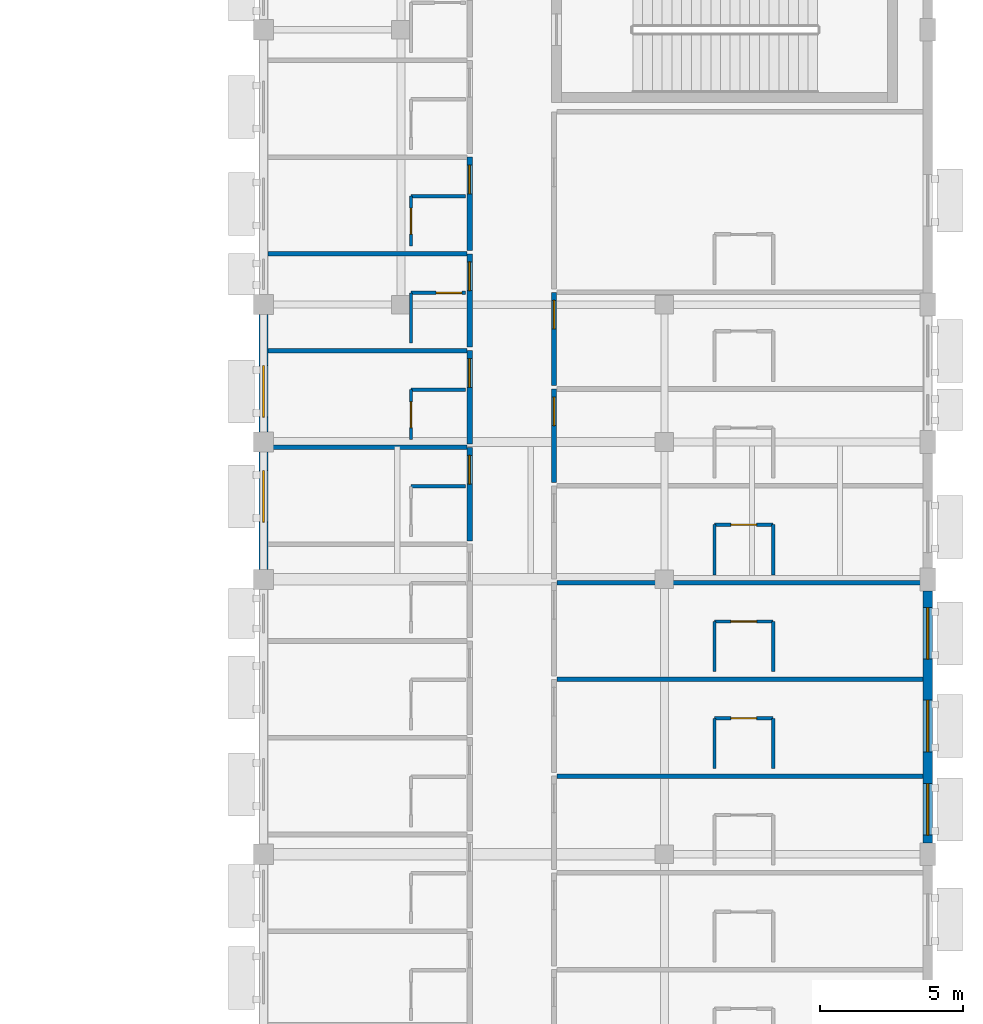
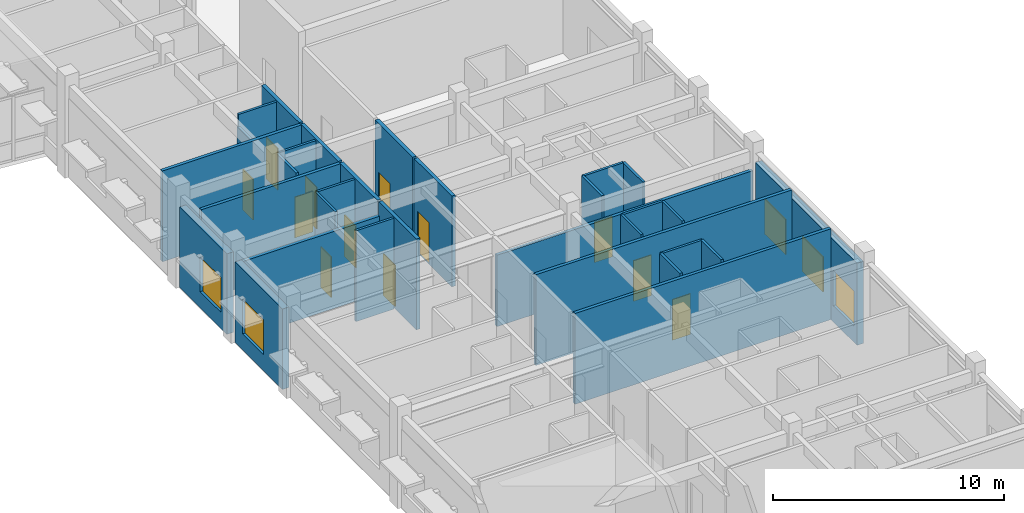
# One storey, part 49 of 68: 31 walls, 12 doors, 5 windows, 17 openings.
"""IFC4 building model written with IfcOpenShell, lengths in metres."""

from ifc_helpers import new_model, si_unit, direction, frame, frame_2d, origin, place, context, subcontext, project, spatial, rectangle, extrude, material, layer, layer_set, type_object, element, fill, save


model = new_model("IFC4")

# Units and contexts
model_context = context("Model", 3, precision=1e-05, world=origin(), true_north=direction((0.0, 1.0)))
body_context = subcontext(model_context, "Body", "Model", "MODEL_VIEW")
ifc_project = project(units=[si_unit("LENGTHUNIT", "METRE"), si_unit("AREAUNIT", "SQUARE_METRE"), si_unit("VOLUMEUNIT", "CUBIC_METRE"), si_unit("PLANEANGLEUNIT", "RADIAN"), si_unit("MASSUNIT", "GRAM", prefix="KILO")], contexts=[model_context])

# Site, building, storey
site_placement = place(None, origin())
site = spatial("IfcSite", under=ifc_project, at=site_placement, CompositionType="ELEMENT")
building_placement = place(site_placement, origin())
building = spatial("IfcBuilding", under=site, at=building_placement, Name="Veldera Park Congress Hotel", CompositionType="ELEMENT")
storey_placement = place(building_placement, frame((0.0, 0.0, 10.800048828125)))
storey = spatial("IfcBuildingStorey", under=building, at=storey_placement, Name="L02", CompositionType="ELEMENT", Elevation=10.800048828125)

# Wall, openings, windows
ifc_material_1 = material(Name="Cross-laminated timber CLT V2M1.1", Category="wood")
ifc_layer_1 = layer(ifc_material_1, 0.320068359375)
ifc_layer_set_1 = layer_set([ifc_layer_1], Name="Cross-laminated timber CLT V2M1.1")
wall_type_1 = type_object("IfcWallType", Name="EW-CLT320", PredefinedType="STANDARD", material=ifc_layer_set_1)
wall_1_placement = place(storey_placement, frame((84.0, -37.402099609375, 0.0), z_axis=(0.0, 0.0, 1.0), x_axis=(0.0, 1.0, 0.0)))
wall_1 = element("IfcWall", 1, at=wall_1_placement, inside=storey, type_object=wall_type_1, Name="L02 Exterior Wall EW3-L02-0176", PredefinedType="STANDARD", context=body_context, shape_type="SweptSolid", body=[
    extrude(rectangle(XDim=8.80419921875, YDim=0.320068359375, at=frame_2d((4.402099609375, 0.0))), origin(), (0.0, 0.0, 1.0), 4.33203125),
])
opening_1_placement = place(wall_1_placement, frame((0.26611328125, 0.0, 0.85009765625)))
opening_1 = element("IfcOpeningElement", 2, at=opening_1_placement, cuts=wall_1, Name="Opening WIN-1800", PredefinedType="OPENING", context=body_context, shape_type="SweptSolid", body=[
    extrude(rectangle(XDim=1.800048828125, YDim=1.85009765625, at=frame_2d((0.89990234375, 0.925048828125))), frame((0.0, 0.172119140625, 0.0), z_axis=(0.0, -1.0, 0.0), x_axis=(1.0, 0.0, 0.0)), (0.0, 0.0, 1.0), 0.343994140625),
])
opening_2_placement = place(wall_1_placement, frame((3.181884765625, 0.0, 0.85009765625)))
opening_2 = element("IfcOpeningElement", 3, at=opening_2_placement, cuts=wall_1, Name="Opening WIN-1800", PredefinedType="OPENING", context=body_context, shape_type="SweptSolid", body=[
    extrude(rectangle(XDim=1.800048828125, YDim=1.85009765625, at=frame_2d((0.89990234375, 0.925048828125))), frame((0.0, 0.172119140625, 0.0), z_axis=(0.0, -1.0, 0.0), x_axis=(1.0, 0.0, 0.0)), (0.0, 0.0, 1.0), 0.343994140625),
])
opening_3_placement = place(wall_1_placement, frame((6.41796875, 0.0, 0.85009765625)))
opening_3 = element("IfcOpeningElement", 4, at=opening_3_placement, cuts=wall_1, Name="Opening WIN-1800", PredefinedType="OPENING", context=body_context, shape_type="SweptSolid", body=[
    extrude(rectangle(XDim=1.800048828125, YDim=1.85009765625, at=frame_2d((0.89990234375, 0.925048828125))), frame((0.0, 0.172119140625, 0.0), z_axis=(0.0, -1.0, 0.0), x_axis=(1.0, 0.0, 0.0)), (0.0, 0.0, 1.0), 0.343994140625),
])
ifc_material_2 = material(Name="Low-E Triple Insulating Glass Unit (SHGC 0.22)", Category="glass")
window_type = type_object("IfcWindowType", Name="WIN-1800", PartitioningType="SINGLE_PANEL", PredefinedType="WINDOW", material=ifc_material_2)
window_1_placement = place(opening_1_placement, origin())
window_1 = element("IfcWindow", 5, at=window_1_placement, inside=storey, type_object=window_type, Name="L02 Window WIN-1800 380", OverallHeight=1.85009765625, OverallWidth=1.800048828125, PartitioningType="SINGLE_PANEL", PredefinedType="WINDOW", context=body_context, shape_type="SweptSolid", body=[
    extrude(rectangle(XDim=1.800048828125, YDim=1.85009765625, at=frame_2d((0.89990234375, 0.925048828125))), frame((0.0, 0.030029296875, 0.0), z_axis=(0.0, -1.0, 0.0), x_axis=(1.0, 0.0, 0.0)), (0.0, 0.0, 1.0), 0.06005859375),
])
fill(opening_1, window_1)
window_2_placement = place(opening_2_placement, origin())
window_2 = element("IfcWindow", 6, at=window_2_placement, inside=storey, type_object=window_type, Name="L02 Window WIN-1800 381", OverallHeight=1.85009765625, OverallWidth=1.800048828125, PartitioningType="SINGLE_PANEL", PredefinedType="WINDOW", context=body_context, shape_type="SweptSolid", body=[
    extrude(rectangle(XDim=1.800048828125, YDim=1.85009765625, at=frame_2d((0.89990234375, 0.925048828125))), frame((0.0, 0.030029296875, 0.0), z_axis=(0.0, -1.0, 0.0), x_axis=(1.0, 0.0, 0.0)), (0.0, 0.0, 1.0), 0.06005859375),
])
fill(opening_2, window_2)
window_3_placement = place(opening_3_placement, origin())
window_3 = element("IfcWindow", 7, at=window_3_placement, inside=storey, type_object=window_type, Name="L02 Window WIN-1800 382", OverallHeight=1.85009765625, OverallWidth=1.800048828125, PartitioningType="SINGLE_PANEL", PredefinedType="WINDOW", context=body_context, shape_type="SweptSolid", body=[
    extrude(rectangle(XDim=1.800048828125, YDim=1.85009765625, at=frame_2d((0.89990234375, 0.925048828125))), frame((0.0, 0.030029296875, 0.0), z_axis=(0.0, -1.0, 0.0), x_axis=(1.0, 0.0, 0.0)), (0.0, 0.0, 1.0), 0.06005859375),
])
fill(opening_3, window_3)

# Wall, opening, window
wall_2_placement = place(storey_placement, frame((60.800048828125, -18.947998046875, 0.0), z_axis=(0.0, 0.0, 1.0), x_axis=(0.0, -1.0, 0.0)))
wall_2 = element("IfcWall", 8, at=wall_2_placement, inside=storey, type_object=wall_type_1, Name="L02 Exterior Wall EW3-L02-0203", PredefinedType="STANDARD", context=body_context, shape_type="SweptSolid", body=[
    extrude(rectangle(XDim=4.10400390625, YDim=0.320068359375, at=frame_2d((2.052001953125, 0.0))), origin(), (0.0, 0.0, 1.0), 4.2548828125),
])
opening_4_placement = place(wall_2_placement, frame((1.782958984375, 0.0, 0.85009765625)))
opening_4 = element("IfcOpeningElement", 9, at=opening_4_placement, cuts=wall_2, Name="Opening WIN-1800", PredefinedType="OPENING", context=body_context, shape_type="SweptSolid", body=[
    extrude(rectangle(XDim=1.800048828125, YDim=1.85009765625, at=frame_2d((0.89990234375, 0.925048828125))), frame((0.0, 0.172119140625, 0.0), z_axis=(0.0, -1.0, 0.0), x_axis=(1.0, 0.0, 0.0)), (0.0, 0.0, 1.0), 0.343994140625),
])
window_4_placement = place(opening_4_placement, origin())
window_4 = element("IfcWindow", 10, at=window_4_placement, inside=storey, type_object=window_type, Name="L02 Window WIN-1800 363", OverallHeight=1.85009765625, OverallWidth=1.800048828125, PartitioningType="SINGLE_PANEL", PredefinedType="WINDOW", context=body_context, shape_type="SweptSolid", body=[
    extrude(rectangle(XDim=1.800048828125, YDim=1.85009765625, at=frame_2d((0.89990234375, 0.925048828125))), frame((0.0, 0.030029296875, 0.0), z_axis=(0.0, -1.0, 0.0), x_axis=(1.0, 0.0, 0.0)), (0.0, 0.0, 1.0), 0.06005859375),
])
fill(opening_4, window_4)

wall_3_placement = place(storey_placement, frame((60.800048828125, -23.748046875, 0.0), z_axis=(0.0, 0.0, 1.0), x_axis=(0.0, -1.0, 0.0)))
wall_3 = element("IfcWall", 11, at=wall_3_placement, inside=storey, type_object=wall_type_1, Name="L02 Exterior Wall EW3-L02-0204", PredefinedType="STANDARD", context=body_context, shape_type="SweptSolid", body=[
    extrude(rectangle(XDim=4.10400390625, YDim=0.320068359375, at=frame_2d((2.052001953125, 0.0))), origin(), (0.0, 0.0, 1.0), 4.2548828125),
])
opening_5_placement = place(wall_3_placement, frame((0.65087890625, 0.0, 0.85009765625)))
opening_5 = element("IfcOpeningElement", 12, at=opening_5_placement, cuts=wall_3, Name="Opening WIN-1800", PredefinedType="OPENING", context=body_context, shape_type="SweptSolid", body=[
    extrude(rectangle(XDim=1.800048828125, YDim=1.85009765625, at=frame_2d((0.89990234375, 0.925048828125))), frame((0.0, 0.172119140625, 0.0), z_axis=(0.0, -1.0, 0.0), x_axis=(1.0, 0.0, 0.0)), (0.0, 0.0, 1.0), 0.343994140625),
])
window_5_placement = place(opening_5_placement, origin())
window_5 = element("IfcWindow", 13, at=window_5_placement, inside=storey, type_object=window_type, Name="L02 Window WIN-1800 362", OverallHeight=1.85009765625, OverallWidth=1.800048828125, PartitioningType="SINGLE_PANEL", PredefinedType="WINDOW", context=body_context, shape_type="SweptSolid", body=[
    extrude(rectangle(XDim=1.800048828125, YDim=1.85009765625, at=frame_2d((0.89990234375, 0.925048828125))), frame((0.0, 0.030029296875, 0.0), z_axis=(0.0, -1.0, 0.0), x_axis=(1.0, 0.0, 0.0)), (0.0, 0.0, 1.0), 0.06005859375),
])
fill(opening_5, window_5)

# Wall
ifc_material_3 = material(Name="Fire-Rated Gypsum Board on Cold-Formed Steel Studs", Category="steel")
ifc_layer_2 = layer(ifc_material_3, 0.1201171875)
ifc_layer_set_2 = layer_set([ifc_layer_2], Name="Fire-Rated Gypsum Board on Cold-Formed Steel Studs")
wall_type_2 = type_object("IfcWallType", Name="IW-BATH120", PredefinedType="PARTITIONING", material=ifc_layer_set_2)
wall_4_placement = place(storey_placement, frame((65.949951171875, -24.949951171875, 0.0), z_axis=(0.0, 0.0, 1.0), x_axis=(1.0, 0.0, 0.0)))
element("IfcWall", 14, at=wall_4_placement, inside=storey, type_object=wall_type_2, Name="L02 Partition Wall IW3-L02-00387", PredefinedType="PARTITIONING", context=body_context, shape_type="SweptSolid", body=[
    extrude(rectangle(XDim=1.900146484375, YDim=0.1201171875, at=frame_2d((0.9501953125, 0.0))), origin(), (0.0, 0.0, 1.0), 4.800048828125),
])

# Wall, opening, door
wall_5_placement = place(storey_placement, frame((65.949951171875, -23.320068359375, 0.0), z_axis=(0.0, 0.0, 1.0), x_axis=(0.0, 1.0, 0.0)))
wall_5 = element("IfcWall", 15, at=wall_5_placement, inside=storey, type_object=wall_type_2, Name="L02 Partition Wall IW3-L02-00390", PredefinedType="PARTITIONING", context=body_context, shape_type="SweptSolid", body=[
    extrude(rectangle(XDim=1.75, YDim=0.1201171875, at=frame_2d((0.875, 0.0))), origin(), (0.0, 0.0, 1.0), 4.800048828125),
])
opening_6_placement = place(wall_5_placement, frame((0.425048828125, 0.0, 0.0)))
opening_6 = element("IfcOpeningElement", 16, at=opening_6_placement, cuts=wall_5, Name="Opening ID-BATH090", PredefinedType="OPENING", context=body_context, shape_type="SweptSolid", body=[
    extrude(rectangle(XDim=0.89990234375, YDim=2.14990234375, at=frame_2d((0.449951171875, 1.074951171875))), frame((0.0, 0.072021484375, 0.0), z_axis=(0.0, -1.0, 0.0), x_axis=(1.0, 0.0, 0.0)), (0.0, 0.0, 1.0), 0.14404296875),
])
ifc_material_4 = material(Name="Solid Core White Oak Architectural Door", Category="wood")
door_type_1 = type_object("IfcDoorType", Name="ID-BATH090", OperationType="NOTDEFINED", PredefinedType="DOOR", material=ifc_material_4)
door_1_placement = place(opening_6_placement, origin())
door_1 = element("IfcDoor", 17, at=door_1_placement, inside=storey, type_object=door_type_1, Name="L02 En-suite 007 Door ID3-L02-0153 (DR3-ID3-L02-0153)", OperationType="SINGLE_SWING_LEFT", OverallHeight=2.14990234375, OverallWidth=0.89990234375, PredefinedType="DOOR", context=body_context, shape_type="SweptSolid", body=[
    extrude(rectangle(XDim=0.89990234375, YDim=2.14990234375, at=frame_2d((0.449951171875, 1.074951171875))), frame((0.0, 0.02490234375, 0.0), z_axis=(0.0, -1.0, 0.0), x_axis=(1.0, 0.0, 0.0)), (0.0, 0.0, 1.0), 0.050048828125),
])
fill(opening_6, door_1)

# Walls
wall_6_placement = place(storey_placement, frame((65.949951171875, -21.570068359375, 0.0), z_axis=(0.0, 0.0, 1.0), x_axis=(1.0, 0.0, 0.0)))
element("IfcWall", 18, at=wall_6_placement, inside=storey, type_object=wall_type_2, Name="L02 Partition Wall IW3-L02-00391", PredefinedType="PARTITIONING", context=body_context, shape_type="SweptSolid", body=[
    extrude(rectangle(XDim=1.900146484375, YDim=0.1201171875, at=frame_2d((0.9501953125, 0.0))), origin(), (0.0, 0.0, 1.0), 4.800048828125),
])
wall_7_placement = place(storey_placement, frame((65.949951171875, -19.93994140625, 0.0), z_axis=(0.0, 0.0, 1.0), x_axis=(0.0, 1.0, 0.0)))
element("IfcWall", 19, at=wall_7_placement, inside=storey, type_object=wall_type_2, Name="L02 Partition Wall IW3-L02-00394", PredefinedType="PARTITIONING", context=body_context, shape_type="SweptSolid", body=[
    extrude(rectangle(XDim=1.75, YDim=0.1201171875, at=frame_2d((0.875, 0.0))), origin(), (0.0, 0.0, 1.0), 4.800048828125),
])

# Wall, opening, door
wall_8_placement = place(storey_placement, frame((65.949951171875, -18.18994140625, 0.0), z_axis=(0.0, 0.0, 1.0), x_axis=(1.0, 0.0, 0.0)))
wall_8 = element("IfcWall", 20, at=wall_8_placement, inside=storey, type_object=wall_type_2, Name="L02 Partition Wall IW3-L02-00395", PredefinedType="PARTITIONING", context=body_context, shape_type="SweptSolid", body=[
    extrude(rectangle(XDim=1.900146484375, YDim=0.1201171875, at=frame_2d((0.9501953125, 0.0))), origin(), (0.0, 0.0, 1.0), 4.800048828125),
])
opening_7_placement = place(wall_8_placement, frame((0.8798828125, 0.0, 0.0)))
opening_7 = element("IfcOpeningElement", 21, at=opening_7_placement, cuts=wall_8, Name="Opening ID-BATH090", PredefinedType="OPENING", context=body_context, shape_type="SweptSolid", body=[
    extrude(rectangle(XDim=0.89990234375, YDim=2.14990234375, at=frame_2d((0.449951171875, 1.074951171875))), frame((0.0, 0.072021484375, 0.0), z_axis=(0.0, -1.0, 0.0), x_axis=(1.0, 0.0, 0.0)), (0.0, 0.0, 1.0), 0.14404296875),
])
door_2_placement = place(opening_7_placement, origin())
door_2 = element("IfcDoor", 22, at=door_2_placement, inside=storey, type_object=door_type_1, Name="L02 En-suite 008 Door ID3-L02-0155 (DR3-ID3-L02-0155)", OperationType="SINGLE_SWING_LEFT", OverallHeight=2.14990234375, OverallWidth=0.89990234375, PredefinedType="DOOR", context=body_context, shape_type="SweptSolid", body=[
    extrude(rectangle(XDim=0.89990234375, YDim=2.14990234375, at=frame_2d((0.449951171875, 1.074951171875))), frame((0.0, 0.02490234375, 0.0), z_axis=(0.0, -1.0, 0.0), x_axis=(1.0, 0.0, 0.0)), (0.0, 0.0, 1.0), 0.050048828125),
])
fill(opening_7, door_2)

wall_9_placement = place(storey_placement, frame((65.949951171875, -16.56005859375, 0.0), z_axis=(0.0, 0.0, 1.0), x_axis=(0.0, 1.0, 0.0)))
wall_9 = element("IfcWall", 23, at=wall_9_placement, inside=storey, type_object=wall_type_2, Name="L02 Partition Wall IW3-L02-00398", PredefinedType="PARTITIONING", context=body_context, shape_type="SweptSolid", body=[
    extrude(rectangle(XDim=1.75, YDim=0.1201171875, at=frame_2d((0.875, 0.0))), origin(), (0.0, 0.0, 1.0), 4.155029296875),
])
opening_8_placement = place(wall_9_placement, frame((0.425048828125, 0.0, 0.0)))
opening_8 = element("IfcOpeningElement", 24, at=opening_8_placement, cuts=wall_9, Name="Opening ID-BATH090", PredefinedType="OPENING", context=body_context, shape_type="SweptSolid", body=[
    extrude(rectangle(XDim=0.89990234375, YDim=2.14990234375, at=frame_2d((0.449951171875, 1.074951171875))), frame((0.0, 0.072021484375, 0.0), z_axis=(0.0, -1.0, 0.0), x_axis=(1.0, 0.0, 0.0)), (0.0, 0.0, 1.0), 0.14404296875),
])
door_3_placement = place(opening_8_placement, origin())
door_3 = element("IfcDoor", 25, at=door_3_placement, inside=storey, type_object=door_type_1, Name="L02 En-suite 009 Door ID3-L02-0157 (DR3-ID3-L02-0157)", OperationType="SINGLE_SWING_LEFT", OverallHeight=2.14990234375, OverallWidth=0.89990234375, PredefinedType="DOOR", context=body_context, shape_type="SweptSolid", body=[
    extrude(rectangle(XDim=0.89990234375, YDim=2.14990234375, at=frame_2d((0.449951171875, 1.074951171875))), frame((0.0, 0.02490234375, 0.0), z_axis=(0.0, -1.0, 0.0), x_axis=(1.0, 0.0, 0.0)), (0.0, 0.0, 1.0), 0.050048828125),
])
fill(opening_8, door_3)

# Walls
wall_10_placement = place(storey_placement, frame((65.949951171875, -14.81005859375, 0.0), z_axis=(0.0, 0.0, 1.0), x_axis=(1.0, 0.0, 0.0)))
element("IfcWall", 26, at=wall_10_placement, inside=storey, type_object=wall_type_2, Name="L02 Partition Wall IW3-L02-00399", PredefinedType="PARTITIONING", context=body_context, shape_type="SweptSolid", body=[
    extrude(rectangle(XDim=1.900146484375, YDim=0.1201171875, at=frame_2d((0.9501953125, 0.0))), origin(), (0.0, 0.0, 1.0), 4.800048828125),
])
for number, where, z_axis, x_axis, name in (
    (27, (76.550048828125, -34.800048828125, 0.0), (0.0, 0.0, 1.0), (0.0, 1.0, 0.0), "L02 Partition Wall IW3-L02-00476"),
    (28, (78.60009765625, -34.800048828125, 0.0), (0.0, 0.0, 1.0), (0.0, 1.0, 0.0), "L02 Partition Wall IW3-L02-00477"),
):
    element("IfcWall", number, at=place(storey_placement, frame(where, z_axis=z_axis, x_axis=x_axis)), inside=storey, type_object=wall_type_2, Name=name, PredefinedType="PARTITIONING", context=body_context, shape_type="SweptSolid", body=[
        extrude(rectangle(XDim=1.75, YDim=0.1201171875, at=frame_2d((0.875, 0.0))), origin(), (0.0, 0.0, 1.0), 4.800048828125),
    ])

# Wall, opening, door
wall_11_placement = place(storey_placement, frame((76.550048828125, -33.050048828125, 0.0), z_axis=(0.0, 0.0, 1.0), x_axis=(1.0, 0.0, 0.0)))
wall_11 = element("IfcWall", 29, at=wall_11_placement, inside=storey, type_object=wall_type_2, Name="L02 Partition Wall IW3-L02-00478", PredefinedType="PARTITIONING", context=body_context, shape_type="SweptSolid", body=[
    extrude(rectangle(XDim=2.050048828125, YDim=0.1201171875, at=frame_2d((1.02490234375, 0.0))), origin(), (0.0, 0.0, 1.0), 4.800048828125),
])
opening_9_placement = place(wall_11_placement, frame((0.574951171875, 0.0, 0.0)))
opening_9 = element("IfcOpeningElement", 30, at=opening_9_placement, cuts=wall_11, Name="Opening ID-BATH090", PredefinedType="OPENING", context=body_context, shape_type="SweptSolid", body=[
    extrude(rectangle(XDim=0.89990234375, YDim=2.14990234375, at=frame_2d((0.449951171875, 1.074951171875))), frame((0.0, 0.072021484375, 0.0), z_axis=(0.0, -1.0, 0.0), x_axis=(1.0, 0.0, 0.0)), (0.0, 0.0, 1.0), 0.14404296875),
])
door_4_placement = place(opening_9_placement, origin())
door_4 = element("IfcDoor", 31, at=door_4_placement, inside=storey, type_object=door_type_1, Name="L02 En-suite 027 Door ID3-L02-0193 (DR3-ID3-L02-0193)", OperationType="SINGLE_SWING_LEFT", OverallHeight=2.14990234375, OverallWidth=0.89990234375, PredefinedType="DOOR", context=body_context, shape_type="SweptSolid", body=[
    extrude(rectangle(XDim=0.89990234375, YDim=2.14990234375, at=frame_2d((0.449951171875, 1.074951171875))), frame((0.0, 0.02490234375, 0.0), z_axis=(0.0, -1.0, 0.0), x_axis=(1.0, 0.0, 0.0)), (0.0, 0.0, 1.0), 0.050048828125),
])
fill(opening_9, door_4)

# Walls
for number, where, z_axis, x_axis, name in (
    (32, (76.550048828125, -31.419921875, 0.0), (0.0, 0.0, 1.0), (0.0, 1.0, 0.0), "L02 Partition Wall IW3-L02-00481"),
    (33, (78.60009765625, -31.419921875, 0.0), (0.0, 0.0, 1.0), (0.0, 1.0, 0.0), "L02 Partition Wall IW3-L02-00482"),
):
    element("IfcWall", number, at=place(storey_placement, frame(where, z_axis=z_axis, x_axis=x_axis)), inside=storey, type_object=wall_type_2, Name=name, PredefinedType="PARTITIONING", context=body_context, shape_type="SweptSolid", body=[
        extrude(rectangle(XDim=1.75, YDim=0.1201171875, at=frame_2d((0.875, 0.0))), origin(), (0.0, 0.0, 1.0), 4.800048828125),
    ])

# Wall, opening, door
wall_12_placement = place(storey_placement, frame((76.550048828125, -29.669921875, 0.0), z_axis=(0.0, 0.0, 1.0), x_axis=(1.0, 0.0, 0.0)))
wall_12 = element("IfcWall", 34, at=wall_12_placement, inside=storey, type_object=wall_type_2, Name="L02 Partition Wall IW3-L02-00483", PredefinedType="PARTITIONING", context=body_context, shape_type="SweptSolid", body=[
    extrude(rectangle(XDim=2.050048828125, YDim=0.1201171875, at=frame_2d((1.02490234375, 0.0))), origin(), (0.0, 0.0, 1.0), 4.800048828125),
])
opening_10_placement = place(wall_12_placement, frame((0.574951171875, 0.0, 0.0)))
opening_10 = element("IfcOpeningElement", 35, at=opening_10_placement, cuts=wall_12, Name="Opening ID-BATH090", PredefinedType="OPENING", context=body_context, shape_type="SweptSolid", body=[
    extrude(rectangle(XDim=0.89990234375, YDim=2.14990234375, at=frame_2d((0.449951171875, 1.074951171875))), frame((0.0, 0.072021484375, 0.0), z_axis=(0.0, -1.0, 0.0), x_axis=(1.0, 0.0, 0.0)), (0.0, 0.0, 1.0), 0.14404296875),
])
door_5_placement = place(opening_10_placement, origin())
door_5 = element("IfcDoor", 36, at=door_5_placement, inside=storey, type_object=door_type_1, Name="L02 En-suite 028 Door ID3-L02-0195 (DR3-ID3-L02-0195)", OperationType="SINGLE_SWING_LEFT", OverallHeight=2.14990234375, OverallWidth=0.89990234375, PredefinedType="DOOR", context=body_context, shape_type="SweptSolid", body=[
    extrude(rectangle(XDim=0.89990234375, YDim=2.14990234375, at=frame_2d((0.449951171875, 1.074951171875))), frame((0.0, 0.02490234375, 0.0), z_axis=(0.0, -1.0, 0.0), x_axis=(1.0, 0.0, 0.0)), (0.0, 0.0, 1.0), 0.050048828125),
])
fill(opening_10, door_5)

# Walls
for number, where, z_axis, x_axis, name in (
    (37, (76.550048828125, -28.0400390625, 0.0), (0.0, 0.0, 1.0), (0.0, 1.0, 0.0), "L02 Partition Wall IW3-L02-00486"),
    (38, (78.60009765625, -28.0400390625, 0.0), (0.0, 0.0, 1.0), (0.0, 1.0, 0.0), "L02 Partition Wall IW3-L02-00487"),
):
    element("IfcWall", number, at=place(storey_placement, frame(where, z_axis=z_axis, x_axis=x_axis)), inside=storey, type_object=wall_type_2, Name=name, PredefinedType="PARTITIONING", context=body_context, shape_type="SweptSolid", body=[
        extrude(rectangle(XDim=1.75, YDim=0.1201171875, at=frame_2d((0.875, 0.0))), origin(), (0.0, 0.0, 1.0), 4.800048828125),
    ])

# Wall, opening, door
wall_13_placement = place(storey_placement, frame((76.550048828125, -26.2900390625, 0.0), z_axis=(0.0, 0.0, 1.0), x_axis=(1.0, 0.0, 0.0)))
wall_13 = element("IfcWall", 39, at=wall_13_placement, inside=storey, type_object=wall_type_2, Name="L02 Partition Wall IW3-L02-00488", PredefinedType="PARTITIONING", context=body_context, shape_type="SweptSolid", body=[
    extrude(rectangle(XDim=2.050048828125, YDim=0.1201171875, at=frame_2d((1.02490234375, 0.0))), origin(), (0.0, 0.0, 1.0), 4.800048828125),
])
opening_11_placement = place(wall_13_placement, frame((0.574951171875, 0.0, 0.0)))
opening_11 = element("IfcOpeningElement", 40, at=opening_11_placement, cuts=wall_13, Name="Opening ID-BATH090", PredefinedType="OPENING", context=body_context, shape_type="SweptSolid", body=[
    extrude(rectangle(XDim=0.89990234375, YDim=2.14990234375, at=frame_2d((0.449951171875, 1.074951171875))), frame((0.0, 0.072021484375, 0.0), z_axis=(0.0, -1.0, 0.0), x_axis=(1.0, 0.0, 0.0)), (0.0, 0.0, 1.0), 0.14404296875),
])
door_6_placement = place(opening_11_placement, origin())
door_6 = element("IfcDoor", 41, at=door_6_placement, inside=storey, type_object=door_type_1, Name="L02 En-suite 029 Door ID3-L02-0197 (DR3-ID3-L02-0197)", OperationType="SINGLE_SWING_LEFT", OverallHeight=2.14990234375, OverallWidth=0.89990234375, PredefinedType="DOOR", context=body_context, shape_type="SweptSolid", body=[
    extrude(rectangle(XDim=0.89990234375, YDim=2.14990234375, at=frame_2d((0.449951171875, 1.074951171875))), frame((0.0, 0.02490234375, 0.0), z_axis=(0.0, -1.0, 0.0), x_axis=(1.0, 0.0, 0.0)), (0.0, 0.0, 1.0), 0.050048828125),
])
fill(opening_11, door_6)

ifc_layer_3 = layer(ifc_material_3, 0.179931640625)
ifc_layer_set_3 = layer_set([ifc_layer_3], Name="Fire-Rated Gypsum Board on Cold-Formed Steel Studs")
wall_type_3 = type_object("IfcWallType", Name="IW-CORR180", PredefinedType="PARTITIONING", material=ifc_layer_set_3)
wall_14_placement = place(storey_placement, frame((68.0, -26.85009765625, 0.0), z_axis=(0.0, 0.0, 1.0), x_axis=(0.0, 1.0, 0.0)))
wall_14 = element("IfcWall", 42, at=wall_14_placement, inside=storey, type_object=wall_type_3, Name="L02 Corridor Wall IW3-L02-00384", PredefinedType="PARTITIONING", context=body_context, shape_type="SweptSolid", body=[
    extrude(rectangle(XDim=3.260009765625, YDim=0.179931640625, at=frame_2d((1.6298828125, 0.0))), origin(), (0.0, 0.0, 1.0), 4.800048828125),
])
opening_12_placement = place(wall_14_placement, frame((1.97998046875, 0.0, 0.0)))
opening_12 = element("IfcOpeningElement", 43, at=opening_12_placement, cuts=wall_14, Name="Opening ID-UNIT100", PredefinedType="OPENING", context=body_context, shape_type="SweptSolid", body=[
    extrude(rectangle(XDim=1.0, YDim=2.199951171875, at=frame_2d((0.5, 1.10009765625))), frame((0.0, 0.10205078125, 0.0), z_axis=(0.0, -1.0, 0.0), x_axis=(1.0, 0.0, 0.0)), (0.0, 0.0, 1.0), 0.203857421875),
])
door_type_2 = type_object("IfcDoorType", Name="ID-UNIT100", OperationType="NOTDEFINED", PredefinedType="DOOR", material=ifc_material_4)
door_7_placement = place(opening_12_placement, origin())
door_7 = element("IfcDoor", 44, at=door_7_placement, inside=storey, type_object=door_type_2, Name="L02 Guestroom 006 Entry Door (DR3-UD3-L02-006)", OperationType="SINGLE_SWING_RIGHT", OverallHeight=2.199951171875, OverallWidth=1.0, PredefinedType="DOOR", context=body_context, shape_type="SweptSolid", body=[
    extrude(rectangle(XDim=1.0, YDim=2.199951171875, at=frame_2d((0.5, 1.10009765625))), frame((0.0, 0.02490234375, 0.0), z_axis=(0.0, -1.0, 0.0), x_axis=(1.0, 0.0, 0.0)), (0.0, 0.0, 1.0), 0.050048828125),
])
fill(opening_12, door_7)

wall_15_placement = place(storey_placement, frame((68.0, -23.469970703125, 0.0), z_axis=(0.0, 0.0, 1.0), x_axis=(0.0, 1.0, 0.0)))
wall_15 = element("IfcWall", 45, at=wall_15_placement, inside=storey, type_object=wall_type_3, Name="L02 Corridor Wall IW3-L02-00388", PredefinedType="PARTITIONING", context=body_context, shape_type="SweptSolid", body=[
    extrude(rectangle(XDim=3.260009765625, YDim=0.179931640625, at=frame_2d((1.6298828125, 0.0))), origin(), (0.0, 0.0, 1.0), 4.800048828125),
])
opening_13_placement = place(wall_15_placement, frame((1.97998046875, 0.0, 0.0)))
opening_13 = element("IfcOpeningElement", 46, at=opening_13_placement, cuts=wall_15, Name="Opening ID-UNIT100", PredefinedType="OPENING", context=body_context, shape_type="SweptSolid", body=[
    extrude(rectangle(XDim=1.0, YDim=2.199951171875, at=frame_2d((0.5, 1.10009765625))), frame((0.0, 0.10205078125, 0.0), z_axis=(0.0, -1.0, 0.0), x_axis=(1.0, 0.0, 0.0)), (0.0, 0.0, 1.0), 0.203857421875),
])
door_8_placement = place(opening_13_placement, origin())
door_8 = element("IfcDoor", 47, at=door_8_placement, inside=storey, type_object=door_type_2, Name="L02 Guestroom 007 Entry Door (DR3-UD3-L02-007)", OperationType="SINGLE_SWING_RIGHT", OverallHeight=2.199951171875, OverallWidth=1.0, PredefinedType="DOOR", context=body_context, shape_type="SweptSolid", body=[
    extrude(rectangle(XDim=1.0, YDim=2.199951171875, at=frame_2d((0.5, 1.10009765625))), frame((0.0, 0.02490234375, 0.0), z_axis=(0.0, -1.0, 0.0), x_axis=(1.0, 0.0, 0.0)), (0.0, 0.0, 1.0), 0.050048828125),
])
fill(opening_13, door_8)

wall_16_placement = place(storey_placement, frame((68.0, -20.090087890625, 0.0), z_axis=(0.0, 0.0, 1.0), x_axis=(0.0, 1.0, 0.0)))
wall_16 = element("IfcWall", 48, at=wall_16_placement, inside=storey, type_object=wall_type_3, Name="L02 Corridor Wall IW3-L02-00392", PredefinedType="PARTITIONING", context=body_context, shape_type="SweptSolid", body=[
    extrude(rectangle(XDim=3.260009765625, YDim=0.179931640625, at=frame_2d((1.6298828125, 0.0))), origin(), (0.0, 0.0, 1.0), 4.800048828125),
])
opening_14_placement = place(wall_16_placement, frame((1.97998046875, 0.0, 0.0)))
opening_14 = element("IfcOpeningElement", 49, at=opening_14_placement, cuts=wall_16, Name="Opening ID-UNIT100", PredefinedType="OPENING", context=body_context, shape_type="SweptSolid", body=[
    extrude(rectangle(XDim=1.0, YDim=2.199951171875, at=frame_2d((0.5, 1.10009765625))), frame((0.0, 0.10205078125, 0.0), z_axis=(0.0, -1.0, 0.0), x_axis=(1.0, 0.0, 0.0)), (0.0, 0.0, 1.0), 0.203857421875),
])
door_9_placement = place(opening_14_placement, origin())
door_9 = element("IfcDoor", 50, at=door_9_placement, inside=storey, type_object=door_type_2, Name="L02 Guestroom 008 Entry Door (DR3-UD3-L02-008)", OperationType="SINGLE_SWING_RIGHT", OverallHeight=2.199951171875, OverallWidth=1.0, PredefinedType="DOOR", context=body_context, shape_type="SweptSolid", body=[
    extrude(rectangle(XDim=1.0, YDim=2.199951171875, at=frame_2d((0.5, 1.10009765625))), frame((0.0, 0.02490234375, 0.0), z_axis=(0.0, -1.0, 0.0), x_axis=(1.0, 0.0, 0.0)), (0.0, 0.0, 1.0), 0.050048828125),
])
fill(opening_14, door_9)

wall_17_placement = place(storey_placement, frame((68.0, -16.7099609375, 0.0), z_axis=(0.0, 0.0, 1.0), x_axis=(0.0, 1.0, 0.0)))
wall_17 = element("IfcWall", 51, at=wall_17_placement, inside=storey, type_object=wall_type_3, Name="L02 Corridor Wall IW3-L02-00396", PredefinedType="PARTITIONING", context=body_context, shape_type="SweptSolid", body=[
    extrude(rectangle(XDim=3.260009765625, YDim=0.179931640625, at=frame_2d((1.6298828125, 0.0))), origin(), (0.0, 0.0, 1.0), 4.800048828125),
])
opening_15_placement = place(wall_17_placement, frame((1.97998046875, 0.0, 0.0)))
opening_15 = element("IfcOpeningElement", 52, at=opening_15_placement, cuts=wall_17, Name="Opening ID-UNIT100", PredefinedType="OPENING", context=body_context, shape_type="SweptSolid", body=[
    extrude(rectangle(XDim=1.0, YDim=2.199951171875, at=frame_2d((0.5, 1.10009765625))), frame((0.0, 0.10205078125, 0.0), z_axis=(0.0, -1.0, 0.0), x_axis=(1.0, 0.0, 0.0)), (0.0, 0.0, 1.0), 0.203857421875),
])
door_10_placement = place(opening_15_placement, origin())
door_10 = element("IfcDoor", 53, at=door_10_placement, inside=storey, type_object=door_type_2, Name="L02 Guestroom 009 Entry Door (DR3-UD3-L02-009)", OperationType="SINGLE_SWING_RIGHT", OverallHeight=2.199951171875, OverallWidth=1.0, PredefinedType="DOOR", context=body_context, shape_type="SweptSolid", body=[
    extrude(rectangle(XDim=1.0, YDim=2.199951171875, at=frame_2d((0.5, 1.10009765625))), frame((0.0, 0.02490234375, 0.0), z_axis=(0.0, -1.0, 0.0), x_axis=(1.0, 0.0, 0.0)), (0.0, 0.0, 1.0), 0.050048828125),
])
fill(opening_15, door_10)

wall_18_placement = place(storey_placement, frame((70.949951171875, -21.550048828125, 0.0), z_axis=(0.0, 0.0, 1.0), x_axis=(0.0, -1.0, 0.0)))
wall_18 = element("IfcWall", 54, at=wall_18_placement, inside=storey, type_object=wall_type_3, Name="L02 Corridor Wall IW3-L02-00489", PredefinedType="PARTITIONING", context=body_context, shape_type="SweptSolid", body=[
    extrude(rectangle(XDim=3.260009765625, YDim=0.179931640625, at=frame_2d((1.6298828125, 0.0))), origin(), (0.0, 0.0, 1.0), 4.800048828125),
])
opening_16_placement = place(wall_18_placement, frame((0.280029296875, 0.0, 0.0)))
opening_16 = element("IfcOpeningElement", 55, at=opening_16_placement, cuts=wall_18, Name="Opening ID-UNIT100", PredefinedType="OPENING", context=body_context, shape_type="SweptSolid", body=[
    extrude(rectangle(XDim=1.0, YDim=2.199951171875, at=frame_2d((0.5, 1.10009765625))), frame((0.0, 0.10205078125, 0.0), z_axis=(0.0, -1.0, 0.0), x_axis=(1.0, 0.0, 0.0)), (0.0, 0.0, 1.0), 0.203857421875),
])
door_11_placement = place(opening_16_placement, origin())
door_11 = element("IfcDoor", 56, at=door_11_placement, inside=storey, type_object=door_type_2, Name="L02 Guestroom 030 Entry Door (DR3-UD3-L02-030)", OperationType="SINGLE_SWING_RIGHT", OverallHeight=2.199951171875, OverallWidth=1.0, PredefinedType="DOOR", context=body_context, shape_type="SweptSolid", body=[
    extrude(rectangle(XDim=1.0, YDim=2.199951171875, at=frame_2d((0.5, 1.10009765625))), frame((0.0, 0.02490234375, 0.0), z_axis=(0.0, -1.0, 0.0), x_axis=(1.0, 0.0, 0.0)), (0.0, 0.0, 1.0), 0.050048828125),
])
fill(opening_16, door_11)

wall_19_placement = place(storey_placement, frame((70.949951171875, -18.169921875, 0.0), z_axis=(0.0, 0.0, 1.0), x_axis=(0.0, -1.0, 0.0)))
wall_19 = element("IfcWall", 57, at=wall_19_placement, inside=storey, type_object=wall_type_3, Name="L02 Corridor Wall IW3-L02-00494", PredefinedType="PARTITIONING", context=body_context, shape_type="SweptSolid", body=[
    extrude(rectangle(XDim=3.260009765625, YDim=0.179931640625, at=frame_2d((1.6298828125, 0.0))), origin(), (0.0, 0.0, 1.0), 4.800048828125),
])
opening_17_placement = place(wall_19_placement, frame((0.280029296875, 0.0, 0.0)))
opening_17 = element("IfcOpeningElement", 58, at=opening_17_placement, cuts=wall_19, Name="Opening ID-UNIT100", PredefinedType="OPENING", context=body_context, shape_type="SweptSolid", body=[
    extrude(rectangle(XDim=1.0, YDim=2.199951171875, at=frame_2d((0.5, 1.10009765625))), frame((0.0, 0.10205078125, 0.0), z_axis=(0.0, -1.0, 0.0), x_axis=(1.0, 0.0, 0.0)), (0.0, 0.0, 1.0), 0.203857421875),
])
door_12_placement = place(opening_17_placement, origin())
door_12 = element("IfcDoor", 59, at=door_12_placement, inside=storey, type_object=door_type_2, Name="L02 Guestroom 031 Entry Door (DR3-UD3-L02-031)", OperationType="SINGLE_SWING_RIGHT", OverallHeight=2.199951171875, OverallWidth=1.0, PredefinedType="DOOR", context=body_context, shape_type="SweptSolid", body=[
    extrude(rectangle(XDim=1.0, YDim=2.199951171875, at=frame_2d((0.5, 1.10009765625))), frame((0.0, 0.02490234375, 0.0), z_axis=(0.0, -1.0, 0.0), x_axis=(1.0, 0.0, 0.0)), (0.0, 0.0, 1.0), 0.050048828125),
])
fill(opening_17, door_12)

# Walls
ifc_layer_4 = layer(ifc_material_1, 0.159912109375)
ifc_layer_set_4 = layer_set([ifc_layer_4], Name="Cross-laminated timber CLT V2M1.1")
wall_type_4 = type_object("IfcWallType", Name="IW-UNIT160", PredefinedType="PARTITIONING", material=ifc_layer_set_4)
wall_20_placement = place(storey_placement, frame((60.9599609375, -23.590087890625, 0.0), z_axis=(0.0, 0.0, 1.0), x_axis=(1.0, 0.0, 0.0)))
element("IfcWall", 60, at=wall_20_placement, inside=storey, type_object=wall_type_4, Name="L02 Partition Wall IW3-L02-00385", PredefinedType="PARTITIONING", context=body_context, shape_type="SweptSolid", body=[
    extrude(rectangle(XDim=6.93994140625, YDim=0.159912109375, at=frame_2d((3.469970703125, 0.0))), origin(), (0.0, 0.0, 1.0), 4.074951171875),
])
for number, where, z_axis, x_axis, name in (
    (61, (60.9599609375, -20.2099609375, 0.0), (0.0, 0.0, 1.0), (1.0, 0.0, 0.0), "L02 Partition Wall IW3-L02-00389"),
    (62, (60.9599609375, -16.830078125, 0.0), (0.0, 0.0, 1.0), (1.0, 0.0, 0.0), "L02 Partition Wall IW3-L02-00393"),
):
    element("IfcWall", number, at=place(storey_placement, frame(where, z_axis=z_axis, x_axis=x_axis)), inside=storey, type_object=wall_type_4, Name=name, PredefinedType="PARTITIONING", context=body_context, shape_type="SweptSolid", body=[
        extrude(rectangle(XDim=6.93994140625, YDim=0.159912109375, at=frame_2d((3.469970703125, 0.0))), origin(), (0.0, 0.0, 1.0), 4.800048828125),
    ])
for number, where, z_axis, x_axis, name in (
    (63, (71.050048828125, -35.070068359375, 0.0), (0.0, 0.0, 1.0), (1.0, 0.0, 0.0), "L02 Partition Wall IW3-L02-00470"),
    (64, (71.050048828125, -31.68994140625, 0.0), (0.0, 0.0, 1.0), (1.0, 0.0, 0.0), "L02 Partition Wall IW3-L02-00475"),
):
    element("IfcWall", number, at=place(storey_placement, frame(where, z_axis=z_axis, x_axis=x_axis)), inside=storey, type_object=wall_type_4, Name=name, PredefinedType="PARTITIONING", context=body_context, shape_type="SweptSolid", body=[
        extrude(rectangle(XDim=12.7900390625, YDim=0.159912109375, at=frame_2d((6.39501953125, 0.0))), origin(), (0.0, 0.0, 1.0), 4.800048828125),
    ])
wall_21_placement = place(storey_placement, frame((71.050048828125, -28.31005859375, 0.0), z_axis=(0.0, 0.0, 1.0), x_axis=(1.0, 0.0, 0.0)))
element("IfcWall", 65, at=wall_21_placement, inside=storey, type_object=wall_type_4, Name="L02 Partition Wall IW3-L02-00480", PredefinedType="PARTITIONING", context=body_context, shape_type="SweptSolid", body=[
    extrude(rectangle(XDim=12.7900390625, YDim=0.159912109375, at=frame_2d((6.39501953125, 0.0))), origin(), (0.0, 0.0, 1.0), 3.77490234375),
])

save(model, "model.ifc")
